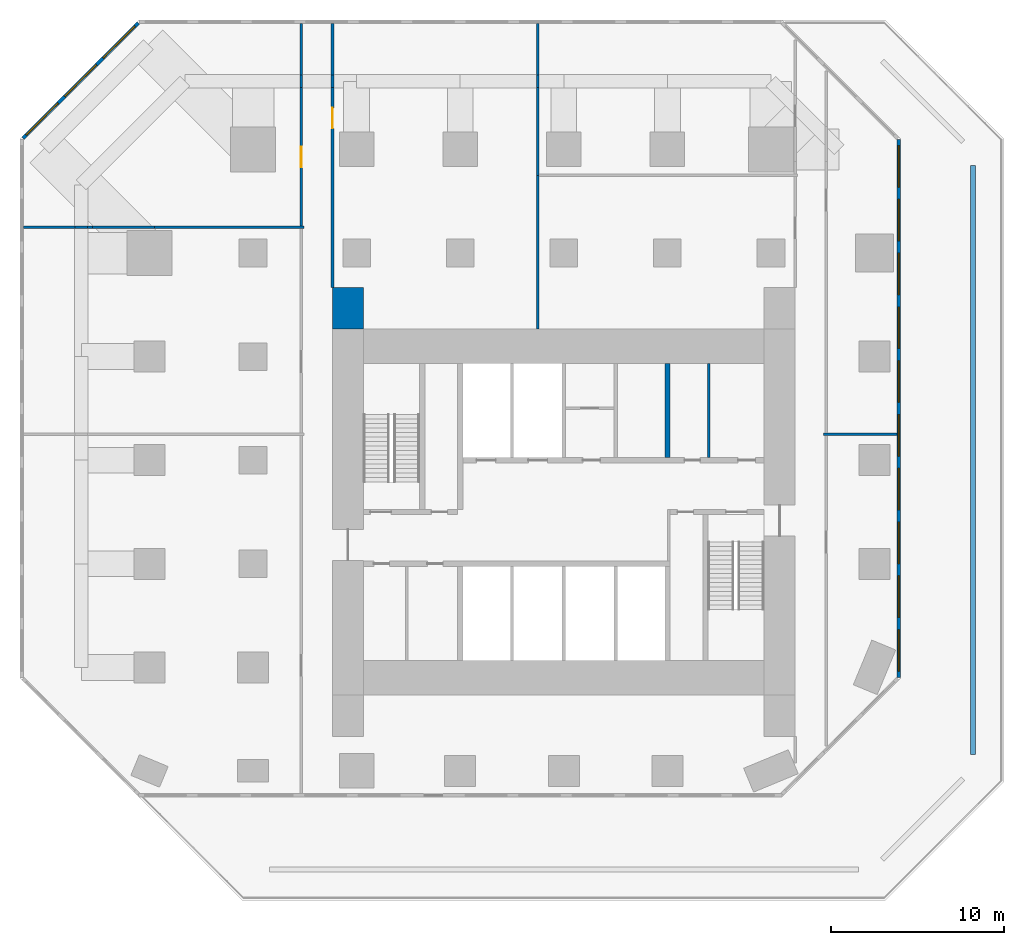
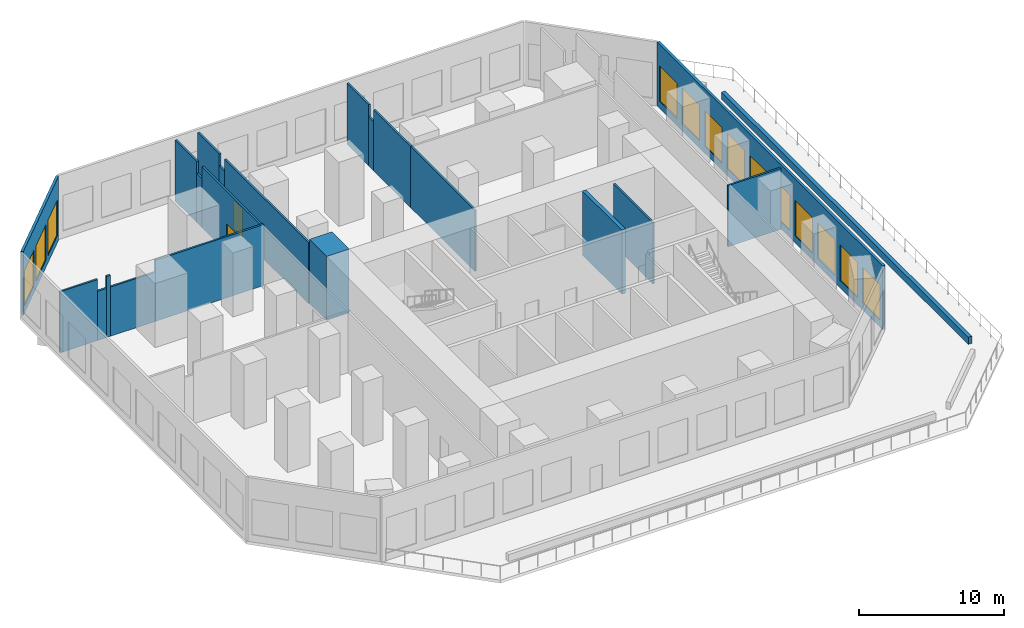
# One storey, part 4 of 7: 22 walls, 13 windows, 2 doors, 15 openings.
"""IFC4 building model written with IfcOpenShell, lengths in metres."""

from ifc_helpers import new_model, si_unit, direction, frame, frame_2d, origin, place, context, subcontext, project, spatial, rectangle, extrude, material, layer, layer_set, type_object, element, fill, save


model = new_model("IFC4")

# Units and contexts
model_context = context("Model", 3, precision=1e-05, world=origin(), true_north=direction((0.0, 1.0)))
body_context = subcontext(model_context, "Body", "Model", "MODEL_VIEW")
ifc_project = project(units=[si_unit("LENGTHUNIT", "METRE"), si_unit("AREAUNIT", "SQUARE_METRE"), si_unit("VOLUMEUNIT", "CUBIC_METRE"), si_unit("PLANEANGLEUNIT", "RADIAN"), si_unit("MASSUNIT", "GRAM", prefix="KILO")], contexts=[model_context])

# Site, building, storey
site_placement = place(None, origin())
site = spatial("IfcSite", under=ifc_project, at=site_placement, CompositionType="ELEMENT")
building_placement = place(site_placement, origin())
building = spatial("IfcBuilding", under=site, at=building_placement, Name="Highveld Stack Headquarters", CompositionType="ELEMENT")
storey_placement = place(building_placement, frame((0.0, 0.0, 88.39990234375)))
storey = spatial("IfcBuildingStorey", under=building, at=storey_placement, Name="L21", CompositionType="ELEMENT", Elevation=88.39990234375)

# Walls
ifc_material_1 = material(Name="Concrete C60/75", Category="concrete")
ifc_layer_1 = layer(ifc_material_1, 0.300048828125)
ifc_layer_set_1 = layer_set([ifc_layer_1], Name="Concrete C60/75")
wall_type_1 = type_object("IfcWallType", Name="CORE WALL 300 C60/75", PredefinedType="SHEAR", material=ifc_layer_set_1)
wall_1_placement = place(storey_placement, frame((12.0, 6.14990234375, 0.0), z_axis=(0.0, 0.0, 1.0), x_axis=(0.0, 1.0, 0.0)))
element("IfcWall", 1, at=wall_1_placement, inside=storey, type_object=wall_type_1, Name="Core wall I-X12N L21", PredefinedType="SHEAR", context=body_context, shape_type="SweptSolid", body=[
    extrude(rectangle(XDim=5.4501953125, YDim=0.300048828125, at=frame_2d((2.72509765625, 0.0))), origin(), (0.0, 0.0, 1.0), 5.400146484375),
])
ifc_material_2 = material(Name="Concrete C60/75", Category="concrete")
ifc_layer_2 = layer(ifc_material_2, 1.800048828125)
ifc_layer_set_2 = layer_set([ifc_layer_2], Name="Concrete C60/75")
wall_type_2 = type_object("IfcWallType", Name="CORE WING WALL 1800 C60/75", PredefinedType="SHEAR", material=ifc_layer_set_2)
wall_2_placement = place(storey_placement, frame((-6.5, 13.60009765625, 0.0), z_axis=(0.0, 0.0, 1.0), x_axis=(0.0, 1.0, 0.0)))
element("IfcWall", 2, at=wall_2_placement, inside=storey, type_object=wall_type_2, Name="Core wing wall WN L21", PredefinedType="SHEAR", context=body_context, shape_type="SweptSolid", body=[
    extrude(rectangle(XDim=2.39990234375, YDim=1.800048828125, at=frame_2d((1.199951171875, 0.0))), origin(), (0.0, 0.0, 1.0), 5.400146484375),
])
ifc_material_3 = material(Name="Concrete blockwork, plastered", Category="masonry")
ifc_layer_3 = layer(ifc_material_3, 0.14990234375)
ifc_layer_set_3 = layer_set([ifc_layer_3], Name="Concrete blockwork, plastered")
wall_type_3 = type_object("IfcWallType", Name="FIRE PARTITION 150 BLOCKWORK", PredefinedType="PARTITIONING", material=ifc_layer_set_3)
wall_3_placement = place(storey_placement, frame((-25.300048828125, 19.5, 0.0), z_axis=(0.0, 0.0, 1.0), x_axis=(1.0, 0.0, 0.0)))
element("IfcWall", 3, at=wall_3_placement, inside=storey, type_object=wall_type_3, Name="Partition office neighbourhood L21", PredefinedType="PARTITIONING", context=body_context, shape_type="SweptSolid", body=[
    extrude(rectangle(XDim=2.989990234375, YDim=0.14990234375, at=frame_2d((1.4951171875, 0.0))), origin(), (0.0, 0.0, 1.0), 5.150146484375),
])
wall_4_placement = place(storey_placement, frame((-22.31005859375, 19.5, 0.0), z_axis=(0.0, 0.0, 1.0), x_axis=(1.0, 0.0, 0.0)))
element("IfcWall", 4, at=wall_4_placement, inside=storey, type_object=wall_type_3, Name="Partition office neighbourhood L21", PredefinedType="PARTITIONING", context=body_context, shape_type="SweptSolid", body=[
    extrude(rectangle(XDim=0.719970703125, YDim=0.14990234375, at=frame_2d((0.35986328125, 0.0))), origin(), (0.0, 0.0, 1.0), 4.150146484375),
])
wall_5_placement = place(storey_placement, frame((-21.590087890625, 19.5, 0.0), z_axis=(0.0, 0.0, 1.0), x_axis=(1.0, 0.0, 0.0)))
element("IfcWall", 5, at=wall_5_placement, inside=storey, type_object=wall_type_3, Name="Partition office neighbourhood L21", PredefinedType="PARTITIONING", context=body_context, shape_type="SweptSolid", body=[
    extrude(rectangle(XDim=0.298095703125, YDim=0.14990234375, at=frame_2d((0.14892578125, 0.0))), origin(), (0.0, 0.0, 1.0), 5.150146484375),
])
wall_6_placement = place(storey_placement, frame((-21.2919921875, 19.5, 0.0), z_axis=(0.0, 0.0, 1.0), x_axis=(1.0, 0.0, 0.0)))
element("IfcWall", 6, at=wall_6_placement, inside=storey, type_object=wall_type_3, Name="Partition office neighbourhood L21", PredefinedType="PARTITIONING", context=body_context, shape_type="SweptSolid", body=[
    extrude(rectangle(XDim=3.583984375, YDim=0.14990234375, at=frame_2d((1.7919921875, 0.0))), origin(), (0.0, 0.0, 1.0), 4.150146484375),
])
wall_7_placement = place(storey_placement, frame((-17.7080078125, 19.5, 0.0), z_axis=(0.0, 0.0, 1.0), x_axis=(1.0, 0.0, 0.0)))
element("IfcWall", 7, at=wall_7_placement, inside=storey, type_object=wall_type_3, Name="Partition office neighbourhood L21", PredefinedType="PARTITIONING", context=body_context, shape_type="SweptSolid", body=[
    extrude(rectangle(XDim=8.657958984375, YDim=0.14990234375, at=frame_2d((4.3291015625, 0.0))), origin(), (0.0, 0.0, 1.0), 5.150146484375),
])

# Wall, opening, door
wall_8_placement = place(storey_placement, frame((-9.199951171875, 19.574951171875, 0.0), z_axis=(0.0, 0.0, 1.0), x_axis=(0.0, 1.0, 0.0)))
wall_8 = element("IfcWall", 8, at=wall_8_placement, inside=storey, type_object=wall_type_3, Name="Partition office neighbourhood L21", PredefinedType="PARTITIONING", context=body_context, shape_type="SweptSolid", body=[
    extrude(rectangle(XDim=8.01513671875, YDim=0.14990234375, at=frame_2d((4.007568359375, 0.0))), origin(), (0.0, 0.0, 1.0), 5.150146484375),
])
opening_1_placement = place(wall_8_placement, frame((3.385009765625, 0.0, 0.0)))
opening_1 = element("IfcOpeningElement", 9, at=opening_1_placement, cuts=wall_8, Name="Opening L21-19", PredefinedType="OPENING", context=body_context, shape_type="SweptSolid", body=[
    extrude(rectangle(XDim=1.199951171875, YDim=2.39990234375, at=frame_2d((0.60009765625, 1.199951171875))), frame((0.0, 0.0849609375, 0.0), z_axis=(0.0, -1.0, 0.0), x_axis=(1.0, 0.0, 0.0)), (0.0, 0.0, 1.0), 0.169921875),
])
ifc_material_4 = material(Name="Steel fire door", Category="steel")
door_type = type_object("IfcDoorType", Name="PLANT FIRE DOOR D7 1200x2400", OperationType="SINGLE_SWING_LEFT", PredefinedType="DOOR", material=ifc_material_4)
door_1_placement = place(opening_1_placement, origin())
door_1 = element("IfcDoor", 10, at=door_1_placement, inside=storey, type_object=door_type, Name="Plant room door L21", OperationType="SINGLE_SWING_LEFT", OverallHeight=2.39990234375, OverallWidth=1.199951171875, PredefinedType="DOOR", context=body_context, shape_type="SweptSolid", body=[
    extrude(rectangle(XDim=1.199951171875, YDim=2.39990234375, at=frame_2d((0.60009765625, 1.199951171875))), frame((0.0, 0.02490234375, 0.0), z_axis=(0.0, -1.0, 0.0), x_axis=(1.0, 0.0, 0.0)), (0.0, 0.0, 1.0), 0.050048828125),
])
fill(opening_1, door_1)

# Walls
wall_9_placement = place(storey_placement, frame((-9.199951171875, 27.590087890625, 0.0), z_axis=(0.0, 0.0, 1.0), x_axis=(0.0, 1.0, 0.0)))
element("IfcWall", 11, at=wall_9_placement, inside=storey, type_object=wall_type_3, Name="Partition office neighbourhood L21", PredefinedType="PARTITIONING", context=body_context, shape_type="SweptSolid", body=[
    extrude(rectangle(XDim=0.719970703125, YDim=0.14990234375, at=frame_2d((0.35986328125, 0.0))), origin(), (0.0, 0.0, 1.0), 4.150146484375),
])
wall_10_placement = place(storey_placement, frame((-9.199951171875, 28.31005859375, 0.0), z_axis=(0.0, 0.0, 1.0), x_axis=(0.0, 1.0, 0.0)))
element("IfcWall", 12, at=wall_10_placement, inside=storey, type_object=wall_type_3, Name="Partition office neighbourhood L21", PredefinedType="PARTITIONING", context=body_context, shape_type="SweptSolid", body=[
    extrude(rectangle(XDim=2.989990234375, YDim=0.14990234375, at=frame_2d((1.4951171875, 0.0))), origin(), (0.0, 0.0, 1.0), 5.150146484375),
])

# Wall, opening, door
wall_11_placement = place(storey_placement, frame((-7.39990234375, 16.0, 0.0), z_axis=(0.0, 0.0, 1.0), x_axis=(0.0, 1.0, 0.0)))
wall_11 = element("IfcWall", 13, at=wall_11_placement, inside=storey, type_object=wall_type_3, Name="Partition office neighbourhood L21", PredefinedType="PARTITIONING", context=body_context, shape_type="SweptSolid", body=[
    extrude(rectangle(XDim=11.590087890625, YDim=0.14990234375, at=frame_2d((5.794921875, 0.0))), origin(), (0.0, 0.0, 1.0), 5.150146484375),
])
opening_2_placement = place(wall_11_placement, frame((9.215087890625, 0.0, 0.0)))
opening_2 = element("IfcOpeningElement", 14, at=opening_2_placement, cuts=wall_11, Name="Opening L21-18", PredefinedType="OPENING", context=body_context, shape_type="SweptSolid", body=[
    extrude(rectangle(XDim=1.199951171875, YDim=2.39990234375, at=frame_2d((0.60009765625, 1.199951171875))), frame((0.0, 0.0849609375, 0.0), z_axis=(0.0, -1.0, 0.0), x_axis=(1.0, 0.0, 0.0)), (0.0, 0.0, 1.0), 0.169921875),
])
door_2_placement = place(opening_2_placement, origin())
door_2 = element("IfcDoor", 15, at=door_2_placement, inside=storey, type_object=door_type, Name="Plant room door L21", OperationType="SINGLE_SWING_RIGHT", OverallHeight=2.39990234375, OverallWidth=1.199951171875, PredefinedType="DOOR", context=body_context, shape_type="SweptSolid", body=[
    extrude(rectangle(XDim=1.199951171875, YDim=2.39990234375, at=frame_2d((0.60009765625, 1.199951171875))), frame((0.0, 0.02490234375, 0.0), z_axis=(0.0, -1.0, 0.0), x_axis=(1.0, 0.0, 0.0)), (0.0, 0.0, 1.0), 0.050048828125),
])
fill(opening_2, door_2)

# Walls
wall_12_placement = place(storey_placement, frame((-7.39990234375, 27.590087890625, 0.0), z_axis=(0.0, 0.0, 1.0), x_axis=(0.0, 1.0, 0.0)))
element("IfcWall", 16, at=wall_12_placement, inside=storey, type_object=wall_type_3, Name="Partition office neighbourhood L21", PredefinedType="PARTITIONING", context=body_context, shape_type="SweptSolid", body=[
    extrude(rectangle(XDim=0.719970703125, YDim=0.14990234375, at=frame_2d((0.35986328125, 0.0))), origin(), (0.0, 0.0, 1.0), 4.150146484375),
])
wall_13_placement = place(storey_placement, frame((-7.39990234375, 28.31005859375, 0.0), z_axis=(0.0, 0.0, 1.0), x_axis=(0.0, 1.0, 0.0)))
element("IfcWall", 17, at=wall_13_placement, inside=storey, type_object=wall_type_3, Name="Partition office neighbourhood L21", PredefinedType="PARTITIONING", context=body_context, shape_type="SweptSolid", body=[
    extrude(rectangle(XDim=2.989990234375, YDim=0.14990234375, at=frame_2d((1.4951171875, 0.0))), origin(), (0.0, 0.0, 1.0), 5.150146484375),
])
wall_14_placement = place(storey_placement, frame((4.5, 13.60009765625, 0.0), z_axis=(0.0, 0.0, 1.0), x_axis=(0.0, 1.0, 0.0)))
element("IfcWall", 18, at=wall_14_placement, inside=storey, type_object=wall_type_3, Name="Partition office neighbourhood L21", PredefinedType="PARTITIONING", context=body_context, shape_type="SweptSolid", body=[
    extrude(rectangle(XDim=8.974853515625, YDim=0.14990234375, at=frame_2d((4.4873046875, 0.0))), origin(), (0.0, 0.0, 1.0), 5.150146484375),
])
wall_15_placement = place(storey_placement, frame((4.5, 22.5, 0.0), z_axis=(0.0, 0.0, 1.0), x_axis=(0.0, 1.0, 0.0)))
element("IfcWall", 19, at=wall_15_placement, inside=storey, type_object=wall_type_3, Name="Partition office neighbourhood L21", PredefinedType="PARTITIONING", context=body_context, shape_type="SweptSolid", body=[
    extrude(rectangle(XDim=5.090087890625, YDim=0.14990234375, at=frame_2d((2.544921875, 0.0))), origin(), (0.0, 0.0, 1.0), 5.150146484375),
])
wall_16_placement = place(storey_placement, frame((4.5, 27.590087890625, 0.0), z_axis=(0.0, 0.0, 1.0), x_axis=(0.0, 1.0, 0.0)))
element("IfcWall", 20, at=wall_16_placement, inside=storey, type_object=wall_type_3, Name="Partition office neighbourhood L21", PredefinedType="PARTITIONING", context=body_context, shape_type="SweptSolid", body=[
    extrude(rectangle(XDim=0.719970703125, YDim=0.14990234375, at=frame_2d((0.35986328125, 0.0))), origin(), (0.0, 0.0, 1.0), 4.150146484375),
])
wall_17_placement = place(storey_placement, frame((4.5, 28.31005859375, 0.0), z_axis=(0.0, 0.0, 1.0), x_axis=(0.0, 1.0, 0.0)))
element("IfcWall", 21, at=wall_17_placement, inside=storey, type_object=wall_type_3, Name="Partition office neighbourhood L21", PredefinedType="PARTITIONING", context=body_context, shape_type="SweptSolid", body=[
    extrude(rectangle(XDim=2.989990234375, YDim=0.14990234375, at=frame_2d((1.4951171875, 0.0))), origin(), (0.0, 0.0, 1.0), 5.150146484375),
])
wall_18_placement = place(storey_placement, frame((21.050048828125, 7.5, 0.0), z_axis=(0.0, 0.0, 1.0), x_axis=(1.0, 0.0, 0.0)))
element("IfcWall", 22, at=wall_18_placement, inside=storey, type_object=wall_type_3, Name="Partition office neighbourhood L21", PredefinedType="PARTITIONING", context=body_context, shape_type="SweptSolid", body=[
    extrude(rectangle(XDim=4.25, YDim=0.14990234375, at=frame_2d((2.125, 0.0))), origin(), (0.0, 0.0, 1.0), 5.150146484375),
])
ifc_material_5 = material(Name="Concrete C40/50, precast planter", Category="concrete")
ifc_layer_4 = layer(ifc_material_5, 0.300048828125)
ifc_layer_set_4 = layer_set([ifc_layer_4], Name="Concrete C40/50, precast planter")
wall_type_4 = type_object("IfcWallType", Name="PLANTER WALL PL1 300", PredefinedType="USERDEFINED", material=ifc_layer_set_4)
wall_19_placement = place(storey_placement, frame((29.699951171875, 23.05908203125, 0.0), z_axis=(0.0, 0.0, 1.0), x_axis=(0.0, -1.0, 0.0)))
element("IfcWall", 23, at=wall_19_placement, inside=storey, type_object=wall_type_4, Name="Planter L21 1.3", ObjectType="PLANTER", PredefinedType="USERDEFINED", context=body_context, shape_type="SweptSolid", body=[
    extrude(rectangle(XDim=34.1181640625, YDim=0.300048828125, at=frame_2d((17.05908203125, 0.0))), origin(), (0.0, 0.0, 1.0), 0.60009765625),
])

# Wall, openings, windows
ifc_material_6 = material(Name="Concrete C40/50, precast cladding", Category="concrete")
ifc_layer_5 = layer(ifc_material_6, 0.199951171875)
ifc_layer_set_5 = layer_set([ifc_layer_5], Name="Concrete C40/50, precast cladding")
wall_type_5 = type_object("IfcWallType", Name="PRECAST LOUVRE WALL 200", PredefinedType="USERDEFINED", material=ifc_layer_set_5)
wall_20_placement = place(storey_placement, frame((25.39990234375, -6.579833984375, 0.0), z_axis=(0.0, 0.0, 1.0), x_axis=(0.0, 1.0, 0.0)))
wall_20 = element("IfcWall", 24, at=wall_20_placement, inside=storey, type_object=wall_type_5, Name="Precast louvre wall L21 E", ObjectType="PRECAST CLADDING", PredefinedType="USERDEFINED", context=body_context, shape_type="SweptSolid", body=[
    extrude(rectangle(XDim=31.15966796875, YDim=0.199951171875, at=frame_2d((15.579833984375, 0.0))), origin(), (0.0, 0.0, 1.0), 5.400146484375),
])
opening_3_placement = place(wall_20_placement, frame((0.35791015625, 0.0, 0.60009765625)))
opening_3 = element("IfcOpeningElement", 25, at=opening_3_placement, cuts=wall_20, Name="Opening L1", PredefinedType="OPENING", context=body_context, shape_type="SweptSolid", body=[
    extrude(rectangle(XDim=2.39990234375, YDim=3.0, at=frame_2d((1.199951171875, 1.5))), frame((0.0, 0.10986328125, 0.0), z_axis=(0.0, -1.0, 0.0), x_axis=(1.0, 0.0, 0.0)), (0.0, 0.0, 1.0), 0.219970703125),
])
opening_4_placement = place(wall_20_placement, frame((3.47412109375, 0.0, 0.60009765625)))
opening_4 = element("IfcOpeningElement", 26, at=opening_4_placement, cuts=wall_20, Name="Opening L1", PredefinedType="OPENING", context=body_context, shape_type="SweptSolid", body=[
    extrude(rectangle(XDim=2.39990234375, YDim=3.0, at=frame_2d((1.199951171875, 1.5))), frame((0.0, 0.10986328125, 0.0), z_axis=(0.0, -1.0, 0.0), x_axis=(1.0, 0.0, 0.0)), (0.0, 0.0, 1.0), 0.219970703125),
])
opening_5_placement = place(wall_20_placement, frame((6.58984375, 0.0, 0.60009765625)))
opening_5 = element("IfcOpeningElement", 27, at=opening_5_placement, cuts=wall_20, Name="Opening L1", PredefinedType="OPENING", context=body_context, shape_type="SweptSolid", body=[
    extrude(rectangle(XDim=2.39990234375, YDim=3.0, at=frame_2d((1.199951171875, 1.5))), frame((0.0, 0.10986328125, 0.0), z_axis=(0.0, -1.0, 0.0), x_axis=(1.0, 0.0, 0.0)), (0.0, 0.0, 1.0), 0.219970703125),
])
opening_6_placement = place(wall_20_placement, frame((9.705810546875, 0.0, 0.60009765625)))
opening_6 = element("IfcOpeningElement", 28, at=opening_6_placement, cuts=wall_20, Name="Opening L1", PredefinedType="OPENING", context=body_context, shape_type="SweptSolid", body=[
    extrude(rectangle(XDim=2.39990234375, YDim=3.0, at=frame_2d((1.199951171875, 1.5))), frame((0.0, 0.10986328125, 0.0), z_axis=(0.0, -1.0, 0.0), x_axis=(1.0, 0.0, 0.0)), (0.0, 0.0, 1.0), 0.219970703125),
])
opening_7_placement = place(wall_20_placement, frame((12.822021484375, 0.0, 0.60009765625)))
opening_7 = element("IfcOpeningElement", 29, at=opening_7_placement, cuts=wall_20, Name="Opening L1", PredefinedType="OPENING", context=body_context, shape_type="SweptSolid", body=[
    extrude(rectangle(XDim=2.39990234375, YDim=3.0, at=frame_2d((1.199951171875, 1.5))), frame((0.0, 0.10986328125, 0.0), z_axis=(0.0, -1.0, 0.0), x_axis=(1.0, 0.0, 0.0)), (0.0, 0.0, 1.0), 0.219970703125),
])
opening_8_placement = place(wall_20_placement, frame((15.93798828125, 0.0, 0.60009765625)))
opening_8 = element("IfcOpeningElement", 30, at=opening_8_placement, cuts=wall_20, Name="Opening L1", PredefinedType="OPENING", context=body_context, shape_type="SweptSolid", body=[
    extrude(rectangle(XDim=2.39990234375, YDim=3.0, at=frame_2d((1.199951171875, 1.5))), frame((0.0, 0.10986328125, 0.0), z_axis=(0.0, -1.0, 0.0), x_axis=(1.0, 0.0, 0.0)), (0.0, 0.0, 1.0), 0.219970703125),
])
opening_9_placement = place(wall_20_placement, frame((19.053955078125, 0.0, 0.60009765625)))
opening_9 = element("IfcOpeningElement", 31, at=opening_9_placement, cuts=wall_20, Name="Opening L1", PredefinedType="OPENING", context=body_context, shape_type="SweptSolid", body=[
    extrude(rectangle(XDim=2.39990234375, YDim=3.0, at=frame_2d((1.199951171875, 1.5))), frame((0.0, 0.10986328125, 0.0), z_axis=(0.0, -1.0, 0.0), x_axis=(1.0, 0.0, 0.0)), (0.0, 0.0, 1.0), 0.219970703125),
])
opening_10_placement = place(wall_20_placement, frame((22.169921875, 0.0, 0.60009765625)))
opening_10 = element("IfcOpeningElement", 32, at=opening_10_placement, cuts=wall_20, Name="Opening L1", PredefinedType="OPENING", context=body_context, shape_type="SweptSolid", body=[
    extrude(rectangle(XDim=2.39990234375, YDim=3.0, at=frame_2d((1.199951171875, 1.5))), frame((0.0, 0.10986328125, 0.0), z_axis=(0.0, -1.0, 0.0), x_axis=(1.0, 0.0, 0.0)), (0.0, 0.0, 1.0), 0.219970703125),
])
opening_11_placement = place(wall_20_placement, frame((25.285888671875, 0.0, 0.60009765625)))
opening_11 = element("IfcOpeningElement", 33, at=opening_11_placement, cuts=wall_20, Name="Opening L1", PredefinedType="OPENING", context=body_context, shape_type="SweptSolid", body=[
    extrude(rectangle(XDim=2.39990234375, YDim=3.0, at=frame_2d((1.199951171875, 1.5))), frame((0.0, 0.10986328125, 0.0), z_axis=(0.0, -1.0, 0.0), x_axis=(1.0, 0.0, 0.0)), (0.0, 0.0, 1.0), 0.219970703125),
])
opening_12_placement = place(wall_20_placement, frame((28.40185546875, 0.0, 0.60009765625)))
opening_12 = element("IfcOpeningElement", 34, at=opening_12_placement, cuts=wall_20, Name="Opening L1", PredefinedType="OPENING", context=body_context, shape_type="SweptSolid", body=[
    extrude(rectangle(XDim=2.39990234375, YDim=3.0, at=frame_2d((1.199951171875, 1.5))), frame((0.0, 0.10986328125, 0.0), z_axis=(0.0, -1.0, 0.0), x_axis=(1.0, 0.0, 0.0)), (0.0, 0.0, 1.0), 0.219970703125),
])
ifc_material_7 = material(Name="Aluminium bronze anodised", Category="aluminium")
window_type_1 = type_object("IfcWindowType", Name="LOUVRE L1 2400x3000", PartitioningType="SINGLE_PANEL", PredefinedType="USERDEFINED", material=ifc_material_7)
window_1_placement = place(opening_3_placement, origin())
window_1 = element("IfcWindow", 35, at=window_1_placement, inside=storey, type_object=window_type_1, Name="Louvre L21 E 1", ObjectType="LOUVRE", OverallHeight=3.0, OverallWidth=2.39990234375, PartitioningType="SINGLE_PANEL", PredefinedType="USERDEFINED", context=body_context, shape_type="SweptSolid", body=[
    extrude(rectangle(XDim=2.39990234375, YDim=3.0, at=frame_2d((1.199951171875, 1.5))), frame((0.0, 0.030029296875, 0.0), z_axis=(0.0, -1.0, 0.0), x_axis=(1.0, 0.0, 0.0)), (0.0, 0.0, 1.0), 0.06005859375),
])
fill(opening_3, window_1)
window_2_placement = place(opening_4_placement, origin())
window_2 = element("IfcWindow", 36, at=window_2_placement, inside=storey, type_object=window_type_1, Name="Louvre L21 E 2", ObjectType="LOUVRE", OverallHeight=3.0, OverallWidth=2.39990234375, PartitioningType="SINGLE_PANEL", PredefinedType="USERDEFINED", context=body_context, shape_type="SweptSolid", body=[
    extrude(rectangle(XDim=2.39990234375, YDim=3.0, at=frame_2d((1.199951171875, 1.5))), frame((0.0, 0.030029296875, 0.0), z_axis=(0.0, -1.0, 0.0), x_axis=(1.0, 0.0, 0.0)), (0.0, 0.0, 1.0), 0.06005859375),
])
fill(opening_4, window_2)
window_3_placement = place(opening_5_placement, origin())
window_3 = element("IfcWindow", 37, at=window_3_placement, inside=storey, type_object=window_type_1, Name="Louvre L21 E 3", ObjectType="LOUVRE", OverallHeight=3.0, OverallWidth=2.39990234375, PartitioningType="SINGLE_PANEL", PredefinedType="USERDEFINED", context=body_context, shape_type="SweptSolid", body=[
    extrude(rectangle(XDim=2.39990234375, YDim=3.0, at=frame_2d((1.199951171875, 1.5))), frame((0.0, 0.030029296875, 0.0), z_axis=(0.0, -1.0, 0.0), x_axis=(1.0, 0.0, 0.0)), (0.0, 0.0, 1.0), 0.06005859375),
])
fill(opening_5, window_3)
window_4_placement = place(opening_6_placement, origin())
window_4 = element("IfcWindow", 38, at=window_4_placement, inside=storey, type_object=window_type_1, Name="Louvre L21 E 4", ObjectType="LOUVRE", OverallHeight=3.0, OverallWidth=2.39990234375, PartitioningType="SINGLE_PANEL", PredefinedType="USERDEFINED", context=body_context, shape_type="SweptSolid", body=[
    extrude(rectangle(XDim=2.39990234375, YDim=3.0, at=frame_2d((1.199951171875, 1.5))), frame((0.0, 0.030029296875, 0.0), z_axis=(0.0, -1.0, 0.0), x_axis=(1.0, 0.0, 0.0)), (0.0, 0.0, 1.0), 0.06005859375),
])
fill(opening_6, window_4)
window_5_placement = place(opening_7_placement, origin())
window_5 = element("IfcWindow", 39, at=window_5_placement, inside=storey, type_object=window_type_1, Name="Louvre L21 E 5", ObjectType="LOUVRE", OverallHeight=3.0, OverallWidth=2.39990234375, PartitioningType="SINGLE_PANEL", PredefinedType="USERDEFINED", context=body_context, shape_type="SweptSolid", body=[
    extrude(rectangle(XDim=2.39990234375, YDim=3.0, at=frame_2d((1.199951171875, 1.5))), frame((0.0, 0.030029296875, 0.0), z_axis=(0.0, -1.0, 0.0), x_axis=(1.0, 0.0, 0.0)), (0.0, 0.0, 1.0), 0.06005859375),
])
fill(opening_7, window_5)
window_6_placement = place(opening_8_placement, origin())
window_6 = element("IfcWindow", 40, at=window_6_placement, inside=storey, type_object=window_type_1, Name="Louvre L21 E 6", ObjectType="LOUVRE", OverallHeight=3.0, OverallWidth=2.39990234375, PartitioningType="SINGLE_PANEL", PredefinedType="USERDEFINED", context=body_context, shape_type="SweptSolid", body=[
    extrude(rectangle(XDim=2.39990234375, YDim=3.0, at=frame_2d((1.199951171875, 1.5))), frame((0.0, 0.030029296875, 0.0), z_axis=(0.0, -1.0, 0.0), x_axis=(1.0, 0.0, 0.0)), (0.0, 0.0, 1.0), 0.06005859375),
])
fill(opening_8, window_6)
window_7_placement = place(opening_9_placement, origin())
window_7 = element("IfcWindow", 41, at=window_7_placement, inside=storey, type_object=window_type_1, Name="Louvre L21 E 7", ObjectType="LOUVRE", OverallHeight=3.0, OverallWidth=2.39990234375, PartitioningType="SINGLE_PANEL", PredefinedType="USERDEFINED", context=body_context, shape_type="SweptSolid", body=[
    extrude(rectangle(XDim=2.39990234375, YDim=3.0, at=frame_2d((1.199951171875, 1.5))), frame((0.0, 0.030029296875, 0.0), z_axis=(0.0, -1.0, 0.0), x_axis=(1.0, 0.0, 0.0)), (0.0, 0.0, 1.0), 0.06005859375),
])
fill(opening_9, window_7)
window_8_placement = place(opening_10_placement, origin())
window_8 = element("IfcWindow", 42, at=window_8_placement, inside=storey, type_object=window_type_1, Name="Louvre L21 E 8", ObjectType="LOUVRE", OverallHeight=3.0, OverallWidth=2.39990234375, PartitioningType="SINGLE_PANEL", PredefinedType="USERDEFINED", context=body_context, shape_type="SweptSolid", body=[
    extrude(rectangle(XDim=2.39990234375, YDim=3.0, at=frame_2d((1.199951171875, 1.5))), frame((0.0, 0.030029296875, 0.0), z_axis=(0.0, -1.0, 0.0), x_axis=(1.0, 0.0, 0.0)), (0.0, 0.0, 1.0), 0.06005859375),
])
fill(opening_10, window_8)
window_9_placement = place(opening_11_placement, origin())
window_9 = element("IfcWindow", 43, at=window_9_placement, inside=storey, type_object=window_type_1, Name="Louvre L21 E 9", ObjectType="LOUVRE", OverallHeight=3.0, OverallWidth=2.39990234375, PartitioningType="SINGLE_PANEL", PredefinedType="USERDEFINED", context=body_context, shape_type="SweptSolid", body=[
    extrude(rectangle(XDim=2.39990234375, YDim=3.0, at=frame_2d((1.199951171875, 1.5))), frame((0.0, 0.030029296875, 0.0), z_axis=(0.0, -1.0, 0.0), x_axis=(1.0, 0.0, 0.0)), (0.0, 0.0, 1.0), 0.06005859375),
])
fill(opening_11, window_9)
window_10_placement = place(opening_12_placement, origin())
window_10 = element("IfcWindow", 44, at=window_10_placement, inside=storey, type_object=window_type_1, Name="Louvre L21 E 10", ObjectType="LOUVRE", OverallHeight=3.0, OverallWidth=2.39990234375, PartitioningType="SINGLE_PANEL", PredefinedType="USERDEFINED", context=body_context, shape_type="SweptSolid", body=[
    extrude(rectangle(XDim=2.39990234375, YDim=3.0, at=frame_2d((1.199951171875, 1.5))), frame((0.0, 0.030029296875, 0.0), z_axis=(0.0, -1.0, 0.0), x_axis=(1.0, 0.0, 0.0)), (0.0, 0.0, 1.0), 0.06005859375),
])
fill(opening_12, window_10)

wall_21_placement = place(storey_placement, frame((-18.650634765625, 31.329345703125, 0.0), z_axis=(0.0, 0.0, 1.0), x_axis=(-0.707106781187, -0.707106781187, 0.0)))
wall_21 = element("IfcWall", 45, at=wall_21_placement, inside=storey, type_object=wall_type_5, Name="Precast louvre wall L21 NW", ObjectType="PRECAST CLADDING", PredefinedType="USERDEFINED", context=body_context, shape_type="SweptSolid", body=[
    extrude(rectangle(XDim=9.445068359375, YDim=0.199951171875, at=frame_2d((4.72265625, 0.0))), origin(), (0.0, 0.0, 1.0), 5.400146484375),
])
opening_13_placement = place(wall_21_placement, frame((0.274169921875, 0.0, 0.60009765625)))
opening_13 = element("IfcOpeningElement", 46, at=opening_13_placement, cuts=wall_21, Name="Opening L2", PredefinedType="OPENING", context=body_context, shape_type="SweptSolid", body=[
    extrude(rectangle(XDim=2.60009765625, YDim=3.0, at=frame_2d((1.300048828125, 1.5))), frame((0.0, 0.10986328125, 0.0), z_axis=(0.0, -1.0, 0.0), x_axis=(1.0, 0.0, 0.0)), (0.0, 0.0, 1.0), 0.219970703125),
])
opening_14_placement = place(wall_21_placement, frame((3.422607421875, 0.0, 0.60009765625)))
opening_14 = element("IfcOpeningElement", 47, at=opening_14_placement, cuts=wall_21, Name="Opening L2", PredefinedType="OPENING", context=body_context, shape_type="SweptSolid", body=[
    extrude(rectangle(XDim=2.60009765625, YDim=3.0, at=frame_2d((1.300048828125, 1.5))), frame((0.0, 0.10986328125, 0.0), z_axis=(0.0, -1.0, 0.0), x_axis=(1.0, 0.0, 0.0)), (0.0, 0.0, 1.0), 0.219970703125),
])
opening_15_placement = place(wall_21_placement, frame((6.57080078125, 0.0, 0.60009765625)))
opening_15 = element("IfcOpeningElement", 48, at=opening_15_placement, cuts=wall_21, Name="Opening L2", PredefinedType="OPENING", context=body_context, shape_type="SweptSolid", body=[
    extrude(rectangle(XDim=2.60009765625, YDim=3.0, at=frame_2d((1.300048828125, 1.5))), frame((0.0, 0.10986328125, 0.0), z_axis=(0.0, -1.0, 0.0), x_axis=(1.0, 0.0, 0.0)), (0.0, 0.0, 1.0), 0.219970703125),
])
ifc_material_8 = material(Name="Aluminium bronze anodised", Category="aluminium")
window_type_2 = type_object("IfcWindowType", Name="LOUVRE L2 2400x3000 CHAMFER", PartitioningType="SINGLE_PANEL", PredefinedType="USERDEFINED", material=ifc_material_8)
window_11_placement = place(opening_13_placement, origin())
window_11 = element("IfcWindow", 49, at=window_11_placement, inside=storey, type_object=window_type_2, Name="Louvre L21 NW 1", ObjectType="LOUVRE", OverallHeight=3.0, OverallWidth=2.60009765625, PartitioningType="SINGLE_PANEL", PredefinedType="USERDEFINED", context=body_context, shape_type="SweptSolid", body=[
    extrude(rectangle(XDim=2.60009765625, YDim=3.0, at=frame_2d((1.300048828125, 1.5))), frame((0.0, 0.030029296875, 0.0), z_axis=(0.0, -1.0, 0.0), x_axis=(1.0, 0.0, 0.0)), (0.0, 0.0, 1.0), 0.06005859375),
])
fill(opening_13, window_11)
window_12_placement = place(opening_14_placement, origin())
window_12 = element("IfcWindow", 50, at=window_12_placement, inside=storey, type_object=window_type_2, Name="Louvre L21 NW 2", ObjectType="LOUVRE", OverallHeight=3.0, OverallWidth=2.60009765625, PartitioningType="SINGLE_PANEL", PredefinedType="USERDEFINED", context=body_context, shape_type="SweptSolid", body=[
    extrude(rectangle(XDim=2.60009765625, YDim=3.0, at=frame_2d((1.300048828125, 1.5))), frame((0.0, 0.030029296875, 0.0), z_axis=(0.0, -1.0, 0.0), x_axis=(1.0, 0.0, 0.0)), (0.0, 0.0, 1.0), 0.06005859375),
])
fill(opening_14, window_12)
window_13_placement = place(opening_15_placement, origin())
window_13 = element("IfcWindow", 51, at=window_13_placement, inside=storey, type_object=window_type_2, Name="Louvre L21 NW 3", ObjectType="LOUVRE", OverallHeight=3.0, OverallWidth=2.60009765625, PartitioningType="SINGLE_PANEL", PredefinedType="USERDEFINED", context=body_context, shape_type="SweptSolid", body=[
    extrude(rectangle(XDim=2.60009765625, YDim=3.0, at=frame_2d((1.300048828125, 1.5))), frame((0.0, 0.030029296875, 0.0), z_axis=(0.0, -1.0, 0.0), x_axis=(1.0, 0.0, 0.0)), (0.0, 0.0, 1.0), 0.06005859375),
])
fill(opening_15, window_13)

# Wall
ifc_material_9 = material(Name="Concrete blockwork, tiled", Category="masonry")
ifc_layer_6 = layer(ifc_material_9, 0.14990234375)
ifc_layer_set_6 = layer_set([ifc_layer_6], Name="Concrete blockwork, tiled")
wall_type_6 = type_object("IfcWallType", Name="WC PARTITION 150", PredefinedType="PLUMBINGWALL", material=ifc_layer_set_6)
wall_22_placement = place(storey_placement, frame((14.39990234375, 6.14990234375, 0.0), z_axis=(0.0, 0.0, 1.0), x_axis=(0.0, 1.0, 0.0)))
element("IfcWall", 52, at=wall_22_placement, inside=storey, type_object=wall_type_6, Name="Toilet partition L21", PredefinedType="PLUMBINGWALL", context=body_context, shape_type="SweptSolid", body=[
    extrude(rectangle(XDim=5.4501953125, YDim=0.14990234375, at=frame_2d((2.72509765625, 0.0))), origin(), (0.0, 0.0, 1.0), 5.150146484375),
])

save(model, "model.ifc")
